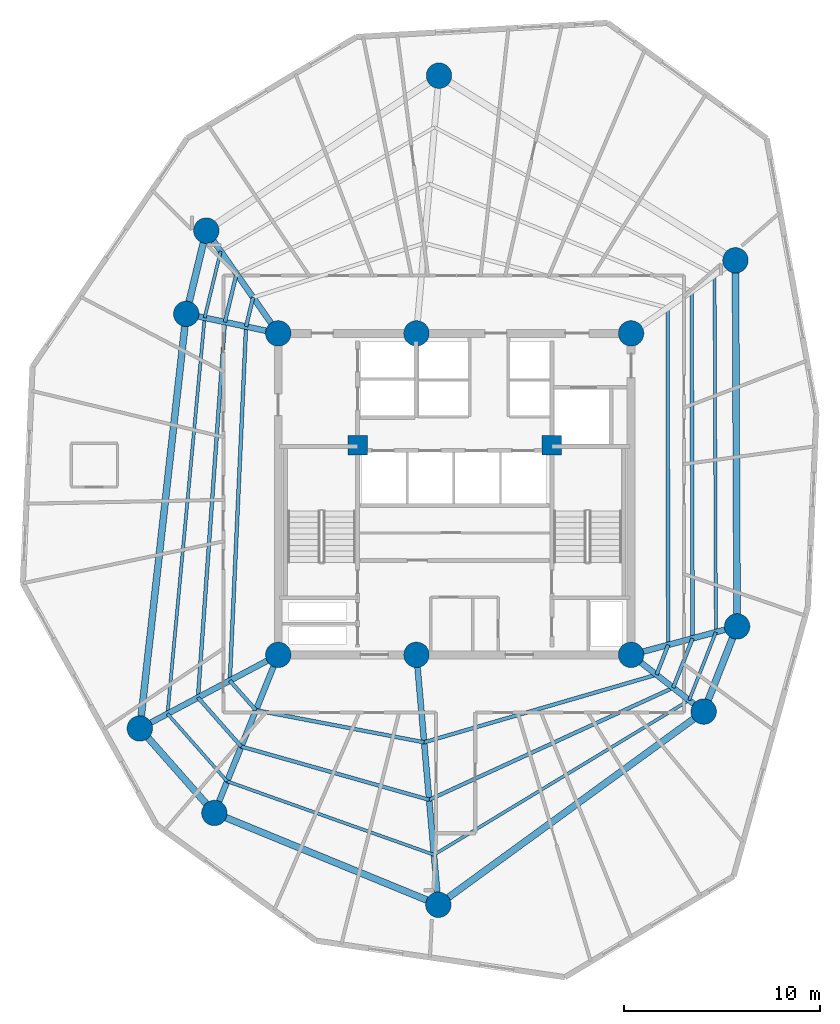
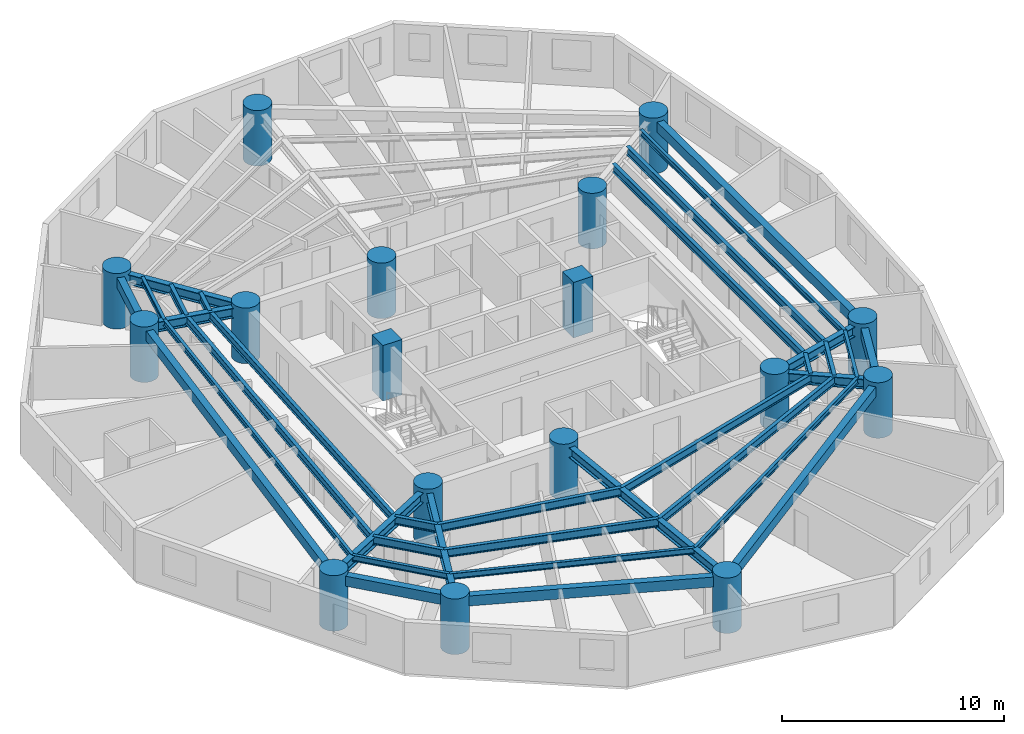
# One storey, part 1 of 8: 35 beams, 17 columns.
"""IFC4 building model written with IfcOpenShell, lengths in metres."""

from ifc_helpers import new_model, si_unit, direction, frame, origin, origin_with_axes, origin_2d, place, context, subcontext, project, spatial, rectangle, circle, i_section, extrude, source, transform, mapped, material, material_profile, profile_set, type_object, element, save


model = new_model("IFC4")

# Units and contexts
model_context = context("Model", 3, precision=1e-05, world=origin(), true_north=direction((0.0, 1.0)))
body_context = subcontext(model_context, "Body", "Model", "MODEL_VIEW")
ifc_project = project(units=[si_unit("LENGTHUNIT", "METRE"), si_unit("AREAUNIT", "SQUARE_METRE"), si_unit("VOLUMEUNIT", "CUBIC_METRE"), si_unit("PLANEANGLEUNIT", "RADIAN"), si_unit("MASSUNIT", "GRAM", prefix="KILO")], contexts=[model_context])

# Site, building, storey
site_placement = place(None, origin())
site = spatial("IfcSite", under=ifc_project, at=site_placement, CompositionType="ELEMENT")
building_placement = place(site_placement, origin())
building = spatial("IfcBuilding", under=site, at=building_placement, Name="Karkom Vertical University and Central Library", CompositionType="ELEMENT")
storey_placement = place(building_placement, frame((0.0, 0.0, 180.949951171875)))
storey = spatial("IfcBuildingStorey", under=building, at=storey_placement, Name="L52", CompositionType="ELEMENT", Elevation=180.949951171875)

# Columns
ifc_material_1 = material(Name="Concrete C50/60", Category="concrete")
ifc_material_profile_1 = material_profile(ifc_material_1, circle(Radius=0.64990234375, at=origin_2d()), Name="CFT-D1300")
ifc_profile_set_1 = profile_set([ifc_material_profile_1], Name="Concrete C50/60")
column_type_1 = type_object("IfcColumnType", Name="STR-COL-C-SC4", PredefinedType="COLUMN", material=ifc_profile_set_1)
shared_shape_1 = source(origin_with_axes(), body_context, "Body", "SweptSolid", [
    extrude(circle(Radius=0.64990234375, at=origin_2d()), origin(), (0.0, 0.0, 1.0), 3.050048828125),
])
for number, where, z_axis, x_axis, name in (
    (1, (19.5, 18.300048828125, 0.0), (0.0, 0.0, 1.0), (1.0, 0.0, 0.0), "Level 52 Spine Mega-Column SC-1"),
    (2, (26.550048828125, 18.300048828125, 0.0), (0.0, 0.0, 1.0), (1.0, 0.0, 0.0), "Level 52 Spine Mega-Column SC-2"),
    (3, (37.5, 18.300048828125, 0.0), (0.0, 0.0, 1.0), (1.0, 0.0, 0.0), "Level 52 Spine Mega-Column SC-3"),
    (4, (19.5, 34.699951171875, 0.0), (0.0, 0.0, 1.0), (1.0, 0.0, 0.0), "Level 52 Spine Mega-Column SC-4"),
    (5, (26.550048828125, 34.699951171875, 0.0), (0.0, 0.0, 1.0), (1.0, 0.0, 0.0), "Level 52 Spine Mega-Column SC-5"),
    (6, (37.5, 34.699951171875, 0.0), (0.0, 0.0, 1.0), (1.0, 0.0, 0.0), "Level 52 Spine Mega-Column SC-6"),
    (7, (42.908935546875, 19.7490234375, 0.0), (0.0, 0.0, 1.0), (1.0, 0.0, 0.0), "Level 52 Perimeter Mega-Column Z3-PC1"),
    (8, (42.823974609375, 38.427978515625, 0.0), (0.0, 0.0, 1.0), (1.0, 0.0, 0.0), "Level 52 Perimeter Mega-Column Z3-PC2"),
    (9, (27.699951171875, 47.85009765625, 0.0), (0.0, 0.0, 1.0), (1.0, 0.0, 0.0), "Level 52 Perimeter Mega-Column Z3-PC3"),
    (10, (15.8291015625, 39.943115234375, 0.0), (0.0, 0.0, 1.0), (1.0, 0.0, 0.0), "Level 52 Perimeter Mega-Column Z3-PC4"),
    (11, (14.804931640625, 35.697998046875, 0.0), (0.0, 0.0, 1.0), (1.0, 0.0, 0.0), "Level 52 Perimeter Mega-Column Z3-PC5"),
    (12, (12.43603515625, 14.5439453125, 0.0), (0.0, 0.0, 1.0), (1.0, 0.0, 0.0), "Level 52 Perimeter Mega-Column Z3-PC6"),
    (13, (16.240966796875, 10.23388671875, 0.0), (0.0, 0.0, 1.0), (1.0, 0.0, 0.0), "Level 52 Perimeter Mega-Column Z3-PC7"),
    (14, (27.666015625, 5.549072265625, 0.0), (0.0, 0.0, 1.0), (1.0, 0.0, 0.0), "Level 52 Perimeter Mega-Column Z3-PC8"),
    (15, (41.2041015625, 15.406005859375, 0.0), (0.0, 0.0, 1.0), (1.0, 0.0, 0.0), "Level 52 Perimeter Mega-Column Z3-PC9"),
):
    element("IfcColumn", number, at=place(storey_placement, frame(where, z_axis=z_axis, x_axis=x_axis)), inside=storey, type_object=column_type_1, Name=name, PredefinedType="COLUMN", context=body_context, shape_type="MappedRepresentation", body=[
        mapped(shared_shape_1, transform((0.0, 0.0, 0.0), scale=1.0)),
    ])
ifc_material_profile_2 = material_profile(ifc_material_1, rectangle(XDim=1.0, YDim=1.0, at=origin_2d()), Name="RC-1000x1000")
ifc_profile_set_2 = profile_set([ifc_material_profile_2], Name="Concrete C50/60")
column_type_2 = type_object("IfcColumnType", Name="STR-COL-C-CC2", PredefinedType="COLUMN", material=ifc_profile_set_2)
shared_shape_2 = source(origin_with_axes(), body_context, "Body", "SweptSolid", [
    extrude(rectangle(XDim=1.0, YDim=1.0, at=origin_2d()), origin(), (0.0, 0.0, 1.0), 3.050048828125),
])
for number, where, z_axis, x_axis, name in (
    (16, (23.550048828125, 29.0, 0.0), (0.0, 0.0, 1.0), (1.0, 0.0, 0.0), "Level 52 Core Node Column CC-1"),
    (17, (33.449951171875, 29.0, 0.0), (0.0, 0.0, 1.0), (1.0, 0.0, 0.0), "Level 52 Core Node Column CC-2"),
):
    element("IfcColumn", number, at=place(storey_placement, frame(where, z_axis=z_axis, x_axis=x_axis)), inside=storey, type_object=column_type_2, Name=name, PredefinedType="COLUMN", context=body_context, shape_type="MappedRepresentation", body=[
        mapped(shared_shape_2, transform((0.0, 0.0, 0.0), scale=1.0)),
    ])

# Beams
ifc_material_2 = material(Name="Precast concrete C45/55", Category="concrete")
ifc_material_profile_3 = material_profile(ifc_material_2, rectangle(XDim=0.35009765625, YDim=0.550048828125, at=origin_2d()), Name="SPB-350x550")
ifc_profile_set_3 = profile_set([ifc_material_profile_3], Name="Precast concrete C45/55")
beam_type_1 = type_object("IfcBeamType", Name="STR-BM-SP-2", PredefinedType="SPANDREL", material=ifc_profile_set_3)
shared_shape_3 = source(origin_with_axes(), body_context, "Body", "SweptSolid", [
    extrude(rectangle(XDim=0.35009765625, YDim=0.550048828125, at=origin_2d()), origin(), (0.0, 0.0, 1.0), 18.67919921875),
])
beam_1_placement = place(storey_placement, frame((42.908935546875, 19.7490234375, 2.550048828125), z_axis=(-0.004548437442, 0.999989655805, 0.0), x_axis=(-0.999989655805, -0.004548437442, 0.0)))
element("IfcBeam", 18, at=beam_1_placement, inside=storey, type_object=beam_type_1, Name="Level 52 Perimeter Spandrel Beam 01", PredefinedType="SPANDREL", context=body_context, shape_type="MappedRepresentation", body=[
    mapped(shared_shape_3, transform((0.0, 0.0, 0.0), scale=1.0)),
])
shared_shape_4 = source(origin_with_axes(), body_context, "Body", "SweptSolid", [
    extrude(rectangle(XDim=0.35009765625, YDim=0.550048828125, at=origin_2d()), origin(), (0.0, 0.0, 1.0), 4.366943359375),
])
beam_2_placement = place(storey_placement, frame((15.8291015625, 39.943115234375, 2.550048828125), z_axis=(-0.234529408772, -0.972109024966, 0.0), x_axis=(0.972109024966, -0.234529408772, 0.0)))
element("IfcBeam", 19, at=beam_2_placement, inside=storey, type_object=beam_type_1, Name="Level 52 Perimeter Spandrel Beam 04", PredefinedType="SPANDREL", context=body_context, shape_type="MappedRepresentation", body=[
    mapped(shared_shape_4, transform((0.0, 0.0, 0.0), scale=1.0)),
])
shared_shape_5 = source(origin_with_axes(), body_context, "Body", "SweptSolid", [
    extrude(rectangle(XDim=0.35009765625, YDim=0.550048828125, at=origin_2d()), origin(), (0.0, 0.0, 1.0), 21.286376953125),
])
beam_3_placement = place(storey_placement, frame((14.804931640625, 35.697998046875, 2.550048828125), z_axis=(-0.111287493264, -0.993788254028, 0.0), x_axis=(0.993788254028, -0.111287493264, 0.0)))
element("IfcBeam", 20, at=beam_3_placement, inside=storey, type_object=beam_type_1, Name="Level 52 Perimeter Spandrel Beam 05", PredefinedType="SPANDREL", context=body_context, shape_type="MappedRepresentation", body=[
    mapped(shared_shape_5, transform((0.0, 0.0, 0.0), scale=1.0)),
])
shared_shape_6 = source(origin_with_axes(), body_context, "Body", "SweptSolid", [
    extrude(rectangle(XDim=0.35009765625, YDim=0.550048828125, at=origin_2d()), origin(), (0.0, 0.0, 1.0), 5.749267578125),
])
beam_4_placement = place(storey_placement, frame((12.43603515625, 14.5439453125, 2.550048828125), z_axis=(0.661811219671, -0.74967053398, 0.0), x_axis=(0.74967053398, 0.661811219671, 0.0)))
element("IfcBeam", 21, at=beam_4_placement, inside=storey, type_object=beam_type_1, Name="Level 52 Perimeter Spandrel Beam 06", PredefinedType="SPANDREL", context=body_context, shape_type="MappedRepresentation", body=[
    mapped(shared_shape_6, transform((0.0, 0.0, 0.0), scale=1.0)),
])
shared_shape_7 = source(origin_with_axes(), body_context, "Body", "SweptSolid", [
    extrude(rectangle(XDim=0.35009765625, YDim=0.550048828125, at=origin_2d()), origin(), (0.0, 0.0, 1.0), 12.34814453125),
])
beam_5_placement = place(storey_placement, frame((16.240966796875, 10.23388671875, 2.550048828125), z_axis=(0.925236428984, -0.37939102583, 0.0), x_axis=(0.37939102583, 0.925236428984, 0.0)))
element("IfcBeam", 22, at=beam_5_placement, inside=storey, type_object=beam_type_1, Name="Level 52 Perimeter Spandrel Beam 07", PredefinedType="SPANDREL", context=body_context, shape_type="MappedRepresentation", body=[
    mapped(shared_shape_7, transform((0.0, 0.0, 0.0), scale=1.0)),
])
shared_shape_8 = source(origin_with_axes(), body_context, "Body", "SweptSolid", [
    extrude(rectangle(XDim=0.35009765625, YDim=0.550048828125, at=origin_2d()), origin(), (0.0, 0.0, 1.0), 16.746337890625),
])
beam_6_placement = place(storey_placement, frame((27.666015625, 5.549072265625, 2.550048828125), z_axis=(0.808422013284, 0.588603303115, 0.0), x_axis=(-0.588603303115, 0.808422013284, 0.0)))
element("IfcBeam", 23, at=beam_6_placement, inside=storey, type_object=beam_type_1, Name="Level 52 Perimeter Spandrel Beam 08", PredefinedType="SPANDREL", context=body_context, shape_type="MappedRepresentation", body=[
    mapped(shared_shape_8, transform((0.0, 0.0, 0.0), scale=1.0)),
])
shared_shape_9 = source(origin_with_axes(), body_context, "Body", "SweptSolid", [
    extrude(rectangle(XDim=0.35009765625, YDim=0.550048828125, at=origin_2d()), origin(), (0.0, 0.0, 1.0), 4.66552734375),
])
beam_7_placement = place(storey_placement, frame((41.2041015625, 15.406005859375, 2.550048828125), z_axis=(0.365401419454, 0.930850043058, 0.0), x_axis=(-0.930850043058, 0.365401419454, 0.0)))
element("IfcBeam", 24, at=beam_7_placement, inside=storey, type_object=beam_type_1, Name="Level 52 Perimeter Spandrel Beam 09", PredefinedType="SPANDREL", context=body_context, shape_type="MappedRepresentation", body=[
    mapped(shared_shape_9, transform((0.0, 0.0, 0.0), scale=1.0)),
])
ifc_material_3 = material(Name="Steel S355", Category="steel")
ifc_material_profile_4 = material_profile(ifc_material_3, i_section(OverallWidth=0.18994140625, OverallDepth=0.449951171875, WebThickness=0.009521484375, FlangeThickness=0.0146484375, FilletRadius=0.02099609375, at=origin_2d()), Name="IPE 450")
ifc_profile_set_4 = profile_set([ifc_material_profile_4], Name="Steel S355")
beam_type_2 = type_object("IfcBeamType", Name="STR-BM-SB-IPE450", PredefinedType="BEAM", material=ifc_profile_set_4)
shared_shape_10 = source(origin_with_axes(), body_context, "Body", "SweptSolid", [
    extrude(i_section(OverallWidth=0.18994140625, OverallDepth=0.449951171875, WebThickness=0.009521484375, FlangeThickness=0.0146484375, FilletRadius=0.02099609375, at=origin_2d()), origin(), (0.0, 0.0, 1.0), 17.19775390625),
])
beam_8_placement = place(storey_placement, frame((39.39306640625, 18.80712890625, 2.60009765625), z_axis=(-0.001731918699, 0.999998500228, 0.0), x_axis=(-0.999998500228, -0.001731918699, 0.0)))
element("IfcBeam", 25, at=beam_8_placement, inside=storey, type_object=beam_type_2, Name="Level 52 Secondary Composite Floor Beam 1.01", PredefinedType="BEAM", context=body_context, shape_type="MappedRepresentation", body=[
    mapped(shared_shape_10, transform((0.0, 0.0, 0.0), scale=1.0)),
])
shared_shape_11 = source(origin_with_axes(), body_context, "Body", "SweptSolid", [
    extrude(i_section(OverallWidth=0.18994140625, OverallDepth=0.449951171875, WebThickness=0.009521484375, FlangeThickness=0.0146484375, FilletRadius=0.02099609375, at=origin_2d()), origin(), (0.0, 0.0, 1.0), 1.5283203125),
])
beam_9_placement = place(storey_placement, frame((18.215087890625, 36.534912109375, 2.60009765625), z_axis=(-0.234520804587, -0.972111100757, 0.0), x_axis=(0.972111100757, -0.234520804587, 0.0)))
element("IfcBeam", 26, at=beam_9_placement, inside=storey, type_object=beam_type_2, Name="Level 52 Secondary Composite Floor Beam 1.04", PredefinedType="BEAM", context=body_context, shape_type="MappedRepresentation", body=[
    mapped(shared_shape_11, transform((0.0, 0.0, 0.0), scale=1.0)),
])
shared_shape_12 = source(origin_with_axes(), body_context, "Body", "SweptSolid", [
    extrude(i_section(OverallWidth=0.18994140625, OverallDepth=0.449951171875, WebThickness=0.009521484375, FlangeThickness=0.0146484375, FilletRadius=0.02099609375, at=origin_2d()), origin(), (0.0, 0.0, 1.0), 18.0830078125),
])
beam_10_placement = place(storey_placement, frame((17.856689453125, 35.04931640625, 2.60009765625), z_axis=(-0.04584982532, -0.998948343769, 0.0), x_axis=(0.998948343769, -0.04584982532, 0.0)))
element("IfcBeam", 27, at=beam_10_placement, inside=storey, type_object=beam_type_2, Name="Level 52 Secondary Composite Floor Beam 1.05", PredefinedType="BEAM", context=body_context, shape_type="MappedRepresentation", body=[
    mapped(shared_shape_12, transform((0.0, 0.0, 0.0), scale=1.0)),
])
shared_shape_13 = source(origin_with_axes(), body_context, "Body", "SweptSolid", [
    extrude(i_section(OverallWidth=0.18994140625, OverallDepth=0.449951171875, WebThickness=0.009521484375, FlangeThickness=0.0146484375, FilletRadius=0.02099609375, at=origin_2d()), origin(), (0.0, 0.0, 1.0), 2.01220703125),
])
beam_11_placement = place(storey_placement, frame((17.027587890625, 16.9853515625, 2.60009765625), z_axis=(0.661822246424, -0.749660799387, 0.0), x_axis=(0.749660799387, 0.661822246424, 0.0)))
element("IfcBeam", 28, at=beam_11_placement, inside=storey, type_object=beam_type_2, Name="Level 52 Secondary Composite Floor Beam 1.06", PredefinedType="BEAM", context=body_context, shape_type="MappedRepresentation", body=[
    mapped(shared_shape_13, transform((0.0, 0.0, 0.0), scale=1.0)),
])
shared_shape_14 = source(origin_with_axes(), body_context, "Body", "SweptSolid", [
    extrude(i_section(OverallWidth=0.18994140625, OverallDepth=0.449951171875, WebThickness=0.009521484375, FlangeThickness=0.0146484375, FilletRadius=0.02099609375, at=origin_2d()), origin(), (0.0, 0.0, 1.0), 8.736572265625),
])
beam_12_placement = place(storey_placement, frame((18.359375, 15.476806640625, 2.60009765625), z_axis=(0.982230782932, -0.187677087205, 0.0), x_axis=(0.187677087205, 0.982230782932, 0.0)))
element("IfcBeam", 29, at=beam_12_placement, inside=storey, type_object=beam_type_2, Name="Level 52 Secondary Composite Floor Beam 1.07", PredefinedType="BEAM", context=body_context, shape_type="MappedRepresentation", body=[
    mapped(shared_shape_14, transform((0.0, 0.0, 0.0), scale=1.0)),
])
shared_shape_15 = source(origin_with_axes(), body_context, "Body", "SweptSolid", [
    extrude(i_section(OverallWidth=0.18994140625, OverallDepth=0.449951171875, WebThickness=0.009521484375, FlangeThickness=0.0146484375, FilletRadius=0.02099609375, at=origin_2d()), origin(), (0.0, 0.0, 1.0), 12.347412109375),
])
beam_13_placement = place(storey_placement, frame((26.940673828125, 13.837158203125, 2.60009765625), z_axis=(0.960173212987, 0.279405442077, 0.0), x_axis=(-0.279405442077, 0.960173212987, 0.0)))
element("IfcBeam", 30, at=beam_13_placement, inside=storey, type_object=beam_type_2, Name="Level 52 Secondary Composite Floor Beam 1.08", PredefinedType="BEAM", context=body_context, shape_type="MappedRepresentation", body=[
    mapped(shared_shape_15, transform((0.0, 0.0, 0.0), scale=1.0)),
])
shared_shape_16 = source(origin_with_axes(), body_context, "Body", "SweptSolid", [
    extrude(i_section(OverallWidth=0.18994140625, OverallDepth=0.449951171875, WebThickness=0.009521484375, FlangeThickness=0.0146484375, FilletRadius=0.02099609375, at=origin_2d()), origin(), (0.0, 0.0, 1.0), 1.633056640625),
])
beam_14_placement = place(storey_placement, frame((38.79638671875, 17.287109375, 2.60009765625), z_axis=(0.365402570083, 0.930849591382, 0.0), x_axis=(-0.930849591382, 0.365402570083, 0.0)))
element("IfcBeam", 31, at=beam_14_placement, inside=storey, type_object=beam_type_2, Name="Level 52 Secondary Composite Floor Beam 1.09", PredefinedType="BEAM", context=body_context, shape_type="MappedRepresentation", body=[
    mapped(shared_shape_16, transform((0.0, 0.0, 0.0), scale=1.0)),
])
shared_shape_17 = source(origin_with_axes(), body_context, "Body", "SweptSolid", [
    extrude(i_section(OverallWidth=0.18994140625, OverallDepth=0.449951171875, WebThickness=0.009521484375, FlangeThickness=0.0146484375, FilletRadius=0.02099609375, at=origin_2d()), origin(), (0.0, 0.0, 1.0), 17.721923828125),
])
beam_15_placement = place(storey_placement, frame((40.63720703125, 19.140380859375, 2.60009765625), z_axis=(-0.002782780006, 0.99999612806, 0.0), x_axis=(-0.99999612806, -0.002782780006, 0.0)))
element("IfcBeam", 32, at=beam_15_placement, inside=storey, type_object=beam_type_2, Name="Level 52 Secondary Composite Floor Beam 2.01", PredefinedType="BEAM", context=body_context, shape_type="MappedRepresentation", body=[
    mapped(shared_shape_17, transform((0.0, 0.0, 0.0), scale=1.0)),
])
shared_shape_18 = source(origin_with_axes(), body_context, "Body", "SweptSolid", [
    extrude(i_section(OverallWidth=0.18994140625, OverallDepth=0.449951171875, WebThickness=0.009521484375, FlangeThickness=0.0146484375, FilletRadius=0.02099609375, at=origin_2d()), origin(), (0.0, 0.0, 1.0), 2.53271484375),
])
beam_16_placement = place(storey_placement, frame((17.370849609375, 37.740966796875, 2.60009765625), z_axis=(-0.234521178828, -0.972111010472, 0.0), x_axis=(0.972111010472, -0.234521178828, 0.0)))
element("IfcBeam", 33, at=beam_16_placement, inside=storey, type_object=beam_type_2, Name="Level 52 Secondary Composite Floor Beam 2.04", PredefinedType="BEAM", context=body_context, shape_type="MappedRepresentation", body=[
    mapped(shared_shape_18, transform((0.0, 0.0, 0.0), scale=1.0)),
])
shared_shape_19 = source(origin_with_axes(), body_context, "Body", "SweptSolid", [
    extrude(i_section(OverallWidth=0.18994140625, OverallDepth=0.449951171875, WebThickness=0.009521484375, FlangeThickness=0.0146484375, FilletRadius=0.02099609375, at=origin_2d()), origin(), (0.0, 0.0, 1.0), 19.20654296875),
])
beam_17_placement = place(storey_placement, frame((16.77685546875, 35.27880859375, 2.60009765625), z_axis=(-0.071539731632, -0.997437750839, 0.0), x_axis=(0.997437750839, -0.071539731632, 0.0)))
element("IfcBeam", 34, at=beam_17_placement, inside=storey, type_object=beam_type_2, Name="Level 52 Secondary Composite Floor Beam 2.05", PredefinedType="BEAM", context=body_context, shape_type="MappedRepresentation", body=[
    mapped(shared_shape_19, transform((0.0, 0.0, 0.0), scale=1.0)),
])
shared_shape_20 = source(origin_with_axes(), body_context, "Body", "SweptSolid", [
    extrude(i_section(OverallWidth=0.18994140625, OverallDepth=0.449951171875, WebThickness=0.009521484375, FlangeThickness=0.0146484375, FilletRadius=0.02099609375, at=origin_2d()), origin(), (0.0, 0.0, 1.0), 3.334716796875),
])
beam_18_placement = place(storey_placement, frame((15.40283203125, 16.12158203125, 2.60009765625), z_axis=(0.661815321502, -0.749666912852, 0.0), x_axis=(0.749666912852, 0.661815321502, 0.0)))
element("IfcBeam", 35, at=beam_18_placement, inside=storey, type_object=beam_type_2, Name="Level 52 Secondary Composite Floor Beam 2.06", PredefinedType="BEAM", context=body_context, shape_type="MappedRepresentation", body=[
    mapped(shared_shape_20, transform((0.0, 0.0, 0.0), scale=1.0)),
])
shared_shape_21 = source(origin_with_axes(), body_context, "Body", "SweptSolid", [
    extrude(i_section(OverallWidth=0.18994140625, OverallDepth=0.449951171875, WebThickness=0.009521484375, FlangeThickness=0.0146484375, FilletRadius=0.02099609375, at=origin_2d()), origin(), (0.0, 0.0, 1.0), 9.965087890625),
])
beam_19_placement = place(storey_placement, frame((17.60986328125, 13.62158203125, 2.60009765625), z_axis=(0.962104232935, -0.272681948372, 0.0), x_axis=(0.272681948372, 0.962104232935, 0.0)))
element("IfcBeam", 36, at=beam_19_placement, inside=storey, type_object=beam_type_2, Name="Level 52 Secondary Composite Floor Beam 2.07", PredefinedType="BEAM", context=body_context, shape_type="MappedRepresentation", body=[
    mapped(shared_shape_21, transform((0.0, 0.0, 0.0), scale=1.0)),
])
shared_shape_22 = source(origin_with_axes(), body_context, "Body", "SweptSolid", [
    extrude(i_section(OverallWidth=0.18994140625, OverallDepth=0.449951171875, WebThickness=0.009521484375, FlangeThickness=0.0146484375, FilletRadius=0.02099609375, at=origin_2d()), origin(), (0.0, 0.0, 1.0), 13.700927734375),
])
beam_20_placement = place(storey_placement, frame((27.197265625, 10.904296875, 2.60009765625), z_axis=(0.908771280691, 0.417294571486, 0.0), x_axis=(-0.417294571486, 0.908771280691, 0.0)))
element("IfcBeam", 37, at=beam_20_placement, inside=storey, type_object=beam_type_2, Name="Level 52 Secondary Composite Floor Beam 2.08", PredefinedType="BEAM", context=body_context, shape_type="MappedRepresentation", body=[
    mapped(shared_shape_22, transform((0.0, 0.0, 0.0), scale=1.0)),
])
shared_shape_23 = source(origin_with_axes(), body_context, "Body", "SweptSolid", [
    extrude(i_section(OverallWidth=0.18994140625, OverallDepth=0.449951171875, WebThickness=0.009521484375, FlangeThickness=0.0146484375, FilletRadius=0.02099609375, at=origin_2d()), origin(), (0.0, 0.0, 1.0), 2.7060546875),
])
beam_21_placement = place(storey_placement, frame((39.648193359375, 16.62158203125, 2.60009765625), z_axis=(0.365487674906, 0.930816179217, 0.0), x_axis=(-0.930816179217, 0.365487674906, 0.0)))
element("IfcBeam", 38, at=beam_21_placement, inside=storey, type_object=beam_type_2, Name="Level 52 Secondary Composite Floor Beam 2.09", PredefinedType="BEAM", context=body_context, shape_type="MappedRepresentation", body=[
    mapped(shared_shape_23, transform((0.0, 0.0, 0.0), scale=1.0)),
])
ifc_material_profile_5 = material_profile(ifc_material_3, i_section(OverallWidth=0.159912109375, OverallDepth=0.330078125, WebThickness=0.007568359375, FlangeThickness=0.011474609375, FilletRadius=0.01806640625, at=origin_2d()), Name="IPE 330")
ifc_profile_set_5 = profile_set([ifc_material_profile_5], Name="Steel S355")
beam_type_3 = type_object("IfcBeamType", Name="STR-BM-SB-IPE330", PredefinedType="BEAM", material=ifc_profile_set_5)
shared_shape_24 = source(origin_with_axes(), body_context, "Body", "SweptSolid", [
    extrude(i_section(OverallWidth=0.159912109375, OverallDepth=0.330078125, WebThickness=0.007568359375, FlangeThickness=0.011474609375, FilletRadius=0.01806640625, at=origin_2d()), origin(), (0.0, 0.0, 1.0), 18.223388671875),
])
beam_22_placement = place(storey_placement, frame((41.8271484375, 19.459228515625, 2.66015625), z_axis=(-0.003724418851, 0.999993064328, 0.0), x_axis=(-0.999993064328, -0.003724418851, 0.0)))
element("IfcBeam", 39, at=beam_22_placement, inside=storey, type_object=beam_type_3, Name="Level 52 Secondary Composite Floor Beam 3.01", PredefinedType="BEAM", context=body_context, shape_type="MappedRepresentation", body=[
    mapped(shared_shape_24, transform((0.0, 0.0, 0.0), scale=1.0)),
])
shared_shape_25 = source(origin_with_axes(), body_context, "Body", "SweptSolid", [
    extrude(i_section(OverallWidth=0.159912109375, OverallDepth=0.330078125, WebThickness=0.007568359375, FlangeThickness=0.011474609375, FilletRadius=0.01806640625, at=origin_2d()), origin(), (0.0, 0.0, 1.0), 3.493408203125),
])
beam_23_placement = place(storey_placement, frame((16.563232421875, 38.894287109375, 2.66015625), z_axis=(-0.234535781995, -0.972107487351, 0.0), x_axis=(0.972107487351, -0.234535781995, 0.0)))
element("IfcBeam", 40, at=beam_23_placement, inside=storey, type_object=beam_type_3, Name="Level 52 Secondary Composite Floor Beam 3.04", PredefinedType="BEAM", context=body_context, shape_type="MappedRepresentation", body=[
    mapped(shared_shape_25, transform((0.0, 0.0, 0.0), scale=1.0)),
])
shared_shape_26 = source(origin_with_axes(), body_context, "Body", "SweptSolid", [
    extrude(i_section(OverallWidth=0.159912109375, OverallDepth=0.330078125, WebThickness=0.007568359375, FlangeThickness=0.011474609375, FilletRadius=0.01806640625, at=origin_2d()), origin(), (0.0, 0.0, 1.0), 20.291748046875),
])
beam_24_placement = place(storey_placement, frame((15.743896484375, 35.498291015625, 2.66015625), z_axis=(-0.093388415244, -0.995629752417, 0.0), x_axis=(0.995629752417, -0.093388415244, 0.0)))
element("IfcBeam", 41, at=beam_24_placement, inside=storey, type_object=beam_type_3, Name="Level 52 Secondary Composite Floor Beam 3.05", PredefinedType="BEAM", context=body_context, shape_type="MappedRepresentation", body=[
    mapped(shared_shape_26, transform((0.0, 0.0, 0.0), scale=1.0)),
])
shared_shape_27 = source(origin_with_axes(), body_context, "Body", "SweptSolid", [
    extrude(i_section(OverallWidth=0.159912109375, OverallDepth=0.330078125, WebThickness=0.007568359375, FlangeThickness=0.011474609375, FilletRadius=0.01806640625, at=origin_2d()), origin(), (0.0, 0.0, 1.0), 4.599365234375),
])
beam_25_placement = place(storey_placement, frame((13.848876953125, 15.295166015625, 2.66015625), z_axis=(0.661816486801, -0.74966588411, 0.0), x_axis=(0.74966588411, 0.661816486801, 0.0)))
element("IfcBeam", 42, at=beam_25_placement, inside=storey, type_object=beam_type_3, Name="Level 52 Secondary Composite Floor Beam 3.06", PredefinedType="BEAM", context=body_context, shape_type="MappedRepresentation", body=[
    mapped(shared_shape_27, transform((0.0, 0.0, 0.0), scale=1.0)),
])
shared_shape_28 = source(origin_with_axes(), body_context, "Body", "SweptSolid", [
    extrude(i_section(OverallWidth=0.159912109375, OverallDepth=0.330078125, WebThickness=0.007568359375, FlangeThickness=0.011474609375, FilletRadius=0.01806640625, at=origin_2d()), origin(), (0.0, 0.0, 1.0), 11.196044921875),
])
beam_26_placement = place(storey_placement, frame((16.892822265625, 11.84716796875, 2.66015625), z_axis=(0.942301538336, -0.334765307119, 0.0), x_axis=(0.334765307119, 0.942301538336, 0.0)))
element("IfcBeam", 43, at=beam_26_placement, inside=storey, type_object=beam_type_3, Name="Level 52 Secondary Composite Floor Beam 3.07", PredefinedType="BEAM", context=body_context, shape_type="MappedRepresentation", body=[
    mapped(shared_shape_28, transform((0.0, 0.0, 0.0), scale=1.0)),
])
shared_shape_29 = source(origin_with_axes(), body_context, "Body", "SweptSolid", [
    extrude(i_section(OverallWidth=0.159912109375, OverallDepth=0.330078125, WebThickness=0.007568359375, FlangeThickness=0.011474609375, FilletRadius=0.01806640625, at=origin_2d()), origin(), (0.0, 0.0, 1.0), 15.22216796875),
])
beam_27_placement = place(storey_placement, frame((27.44287109375, 8.09912109375, 2.66015625), z_axis=(0.855352900974, 0.518045765155, 0.0), x_axis=(-0.518045765155, 0.855352900974, 0.0)))
element("IfcBeam", 44, at=beam_27_placement, inside=storey, type_object=beam_type_3, Name="Level 52 Secondary Composite Floor Beam 3.08", PredefinedType="BEAM", context=body_context, shape_type="MappedRepresentation", body=[
    mapped(shared_shape_29, transform((0.0, 0.0, 0.0), scale=1.0)),
])
shared_shape_30 = source(origin_with_axes(), body_context, "Body", "SweptSolid", [
    extrude(i_section(OverallWidth=0.159912109375, OverallDepth=0.330078125, WebThickness=0.007568359375, FlangeThickness=0.011474609375, FilletRadius=0.01806640625, at=origin_2d()), origin(), (0.0, 0.0, 1.0), 3.732421875),
])
beam_28_placement = place(storey_placement, frame((40.463134765625, 15.98486328125, 2.66015625), z_axis=(0.365439874109, 0.930834946922, 0.0), x_axis=(-0.930834946922, 0.365439874109, 0.0)))
element("IfcBeam", 45, at=beam_28_placement, inside=storey, type_object=beam_type_3, Name="Level 52 Secondary Composite Floor Beam 3.09", PredefinedType="BEAM", context=body_context, shape_type="MappedRepresentation", body=[
    mapped(shared_shape_30, transform((0.0, 0.0, 0.0), scale=1.0)),
])
ifc_material_profile_6 = material_profile(ifc_material_3, i_section(OverallWidth=0.300048828125, OverallDepth=0.550048828125, WebThickness=0.014892578125, FlangeThickness=0.029052734375, FilletRadius=0.027099609375, at=origin_2d()), Name="HE 550 B")
ifc_profile_set_6 = profile_set([ifc_material_profile_6], Name="Steel S355")
beam_type_4 = type_object("IfcBeamType", Name="STR-BM-SB-HE550", PredefinedType="USERDEFINED", material=ifc_profile_set_6)
shared_shape_31 = source(origin_with_axes(), body_context, "Body", "SweptSolid", [
    extrude(i_section(OverallWidth=0.300048828125, OverallDepth=0.550048828125, WebThickness=0.014892578125, FlangeThickness=0.029052734375, FilletRadius=0.027099609375, at=origin_2d()), origin(), (0.0, 0.0, 1.0), 5.599609375),
])
beam_29_placement = place(storey_placement, frame((37.5, 18.300048828125, 2.550048828125), z_axis=(0.965941240814, 0.258761510459, 0.0), x_axis=(-0.258761510459, 0.965941240814, 0.0)))
element("IfcBeam", 46, at=beam_29_placement, inside=storey, type_object=beam_type_4, Name="Level 52 Radial Frame Girder 01", ObjectType="GIRDER", PredefinedType="USERDEFINED", context=body_context, shape_type="MappedRepresentation", body=[
    mapped(shared_shape_31, transform((0.0, 0.0, 0.0), scale=1.0)),
])
shared_shape_32 = source(origin_with_axes(), body_context, "Body", "SweptSolid", [
    extrude(i_section(OverallWidth=0.300048828125, OverallDepth=0.550048828125, WebThickness=0.014892578125, FlangeThickness=0.029052734375, FilletRadius=0.027099609375, at=origin_2d()), origin(), (0.0, 0.0, 1.0), 6.400390625),
])
beam_30_placement = place(storey_placement, frame((19.5, 34.699951171875, 2.550048828125), z_axis=(-0.573534022273, 0.81918174131, 0.0), x_axis=(-0.81918174131, -0.573534022273, 0.0)))
element("IfcBeam", 47, at=beam_30_placement, inside=storey, type_object=beam_type_4, Name="Level 52 Radial Frame Girder 04", ObjectType="GIRDER", PredefinedType="USERDEFINED", context=body_context, shape_type="MappedRepresentation", body=[
    mapped(shared_shape_32, transform((0.0, 0.0, 0.0), scale=1.0)),
])
shared_shape_33 = source(origin_with_axes(), body_context, "Body", "SweptSolid", [
    extrude(i_section(OverallWidth=0.300048828125, OverallDepth=0.550048828125, WebThickness=0.014892578125, FlangeThickness=0.029052734375, FilletRadius=0.027099609375, at=origin_2d()), origin(), (0.0, 0.0, 1.0), 4.800048828125),
])
beam_31_placement = place(storey_placement, frame((19.5, 34.699951171875, 2.550048828125), z_axis=(-0.978144241295, 0.207927495108, 0.0), x_axis=(-0.207927495108, -0.978144241295, 0.0)))
element("IfcBeam", 48, at=beam_31_placement, inside=storey, type_object=beam_type_4, Name="Level 52 Radial Frame Girder 05", ObjectType="GIRDER", PredefinedType="USERDEFINED", context=body_context, shape_type="MappedRepresentation", body=[
    mapped(shared_shape_33, transform((0.0, 0.0, 0.0), scale=1.0)),
])
shared_shape_34 = source(origin_with_axes(), body_context, "Body", "SweptSolid", [
    extrude(i_section(OverallWidth=0.300048828125, OverallDepth=0.550048828125, WebThickness=0.014892578125, FlangeThickness=0.029052734375, FilletRadius=0.027099609375, at=origin_2d()), origin(), (0.0, 0.0, 1.0), 8.00048828125),
])
beam_32_placement = place(storey_placement, frame((19.5, 18.300048828125, 2.550048828125), z_axis=(-0.882941023922, -0.46948391695, 0.0), x_axis=(0.46948391695, -0.882941023922, 0.0)))
element("IfcBeam", 49, at=beam_32_placement, inside=storey, type_object=beam_type_4, Name="Level 52 Radial Frame Girder 06", ObjectType="GIRDER", PredefinedType="USERDEFINED", context=body_context, shape_type="MappedRepresentation", body=[
    mapped(shared_shape_34, transform((0.0, 0.0, 0.0), scale=1.0)),
])
shared_shape_35 = source(origin_with_axes(), body_context, "Body", "SweptSolid", [
    extrude(i_section(OverallWidth=0.300048828125, OverallDepth=0.550048828125, WebThickness=0.014892578125, FlangeThickness=0.029052734375, FilletRadius=0.027099609375, at=origin_2d()), origin(), (0.0, 0.0, 1.0), 8.69970703125),
])
beam_33_placement = place(storey_placement, frame((19.5, 18.300048828125, 2.550048828125), z_axis=(-0.374615701214, -0.927180174725, 0.0), x_axis=(0.927180174725, -0.374615701214, 0.0)))
element("IfcBeam", 50, at=beam_33_placement, inside=storey, type_object=beam_type_4, Name="Level 52 Radial Frame Girder 07", ObjectType="GIRDER", PredefinedType="USERDEFINED", context=body_context, shape_type="MappedRepresentation", body=[
    mapped(shared_shape_35, transform((0.0, 0.0, 0.0), scale=1.0)),
])
shared_shape_36 = source(origin_with_axes(), body_context, "Body", "SweptSolid", [
    extrude(i_section(OverallWidth=0.300048828125, OverallDepth=0.550048828125, WebThickness=0.014892578125, FlangeThickness=0.029052734375, FilletRadius=0.027099609375, at=origin_2d()), origin(), (0.0, 0.0, 1.0), 12.7998046875),
])
beam_34_placement = place(storey_placement, frame((26.550048828125, 18.300048828125, 2.550048828125), z_axis=(0.087186825694, -0.996191978198, 0.0), x_axis=(0.996191978198, 0.087186825694, 0.0)))
element("IfcBeam", 51, at=beam_34_placement, inside=storey, type_object=beam_type_4, Name="Level 52 Radial Frame Girder 08", ObjectType="GIRDER", PredefinedType="USERDEFINED", context=body_context, shape_type="MappedRepresentation", body=[
    mapped(shared_shape_36, transform((0.0, 0.0, 0.0), scale=1.0)),
])
shared_shape_37 = source(origin_with_axes(), body_context, "Body", "SweptSolid", [
    extrude(i_section(OverallWidth=0.300048828125, OverallDepth=0.550048828125, WebThickness=0.014892578125, FlangeThickness=0.029052734375, FilletRadius=0.027099609375, at=origin_2d()), origin(), (0.0, 0.0, 1.0), 4.70068359375),
])
beam_35_placement = place(storey_placement, frame((37.5, 18.300048828125, 2.550048828125), z_axis=(0.788002325582, -0.615672262553, 0.0), x_axis=(0.615672262553, 0.788002325582, 0.0)))
element("IfcBeam", 52, at=beam_35_placement, inside=storey, type_object=beam_type_4, Name="Level 52 Radial Frame Girder 09", ObjectType="GIRDER", PredefinedType="USERDEFINED", context=body_context, shape_type="MappedRepresentation", body=[
    mapped(shared_shape_37, transform((0.0, 0.0, 0.0), scale=1.0)),
])

save(model, "model.ifc")
